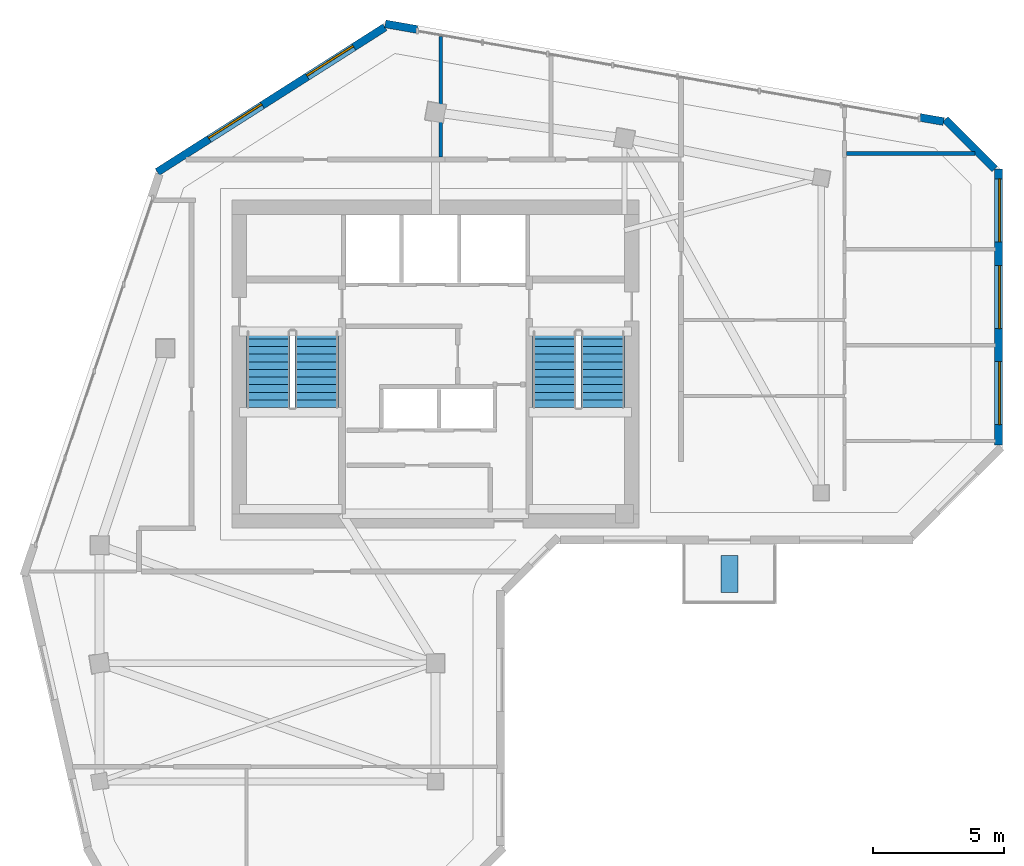
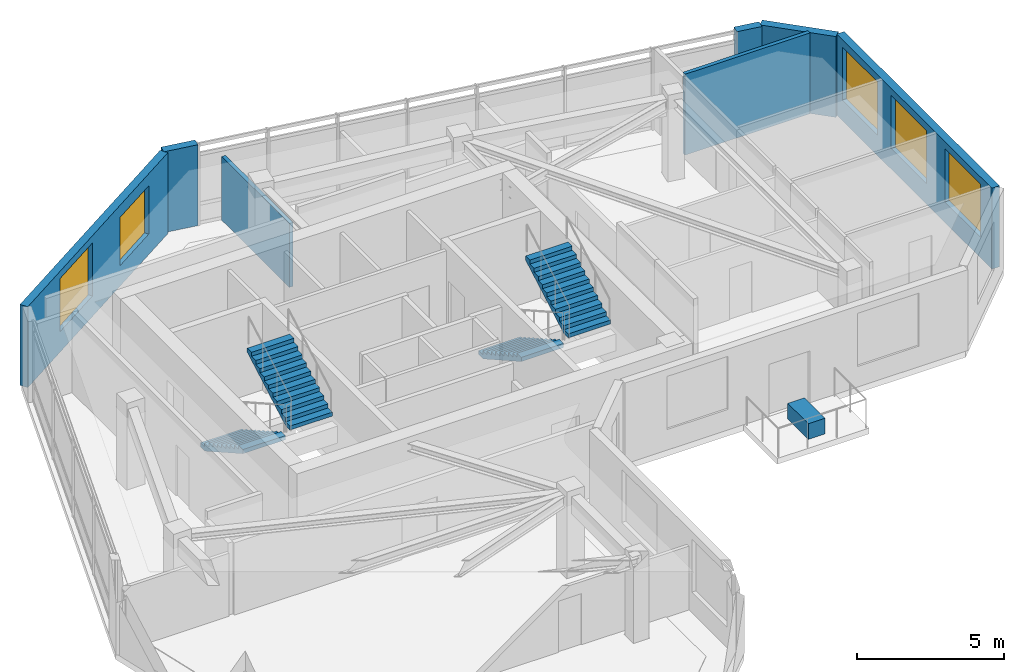
# One storey, part 6 of 9: 7 walls, 5 windows, 4 stair flights, 1 discrete accessory, 5 openings, 2 elements without a shape of their own.
"""IFC4 building model written with IfcOpenShell, lengths in metres."""

from ifc_helpers import new_model, si_unit, direction, frame, frame_2d, origin, origin_2d, place, context, subcontext, project, spatial, polyline, rectangle, outline, extrude, source, transform, mapped, material, layer, layer_set, type_object, element, fill, aggregate, save


model = new_model("IFC4")

# Units and contexts
model_context = context("Model", 3, precision=1e-05, world=origin(), true_north=direction((0.0, 1.0)))
body_context = subcontext(model_context, "Body", "Model", "MODEL_VIEW")
ifc_project = project(units=[si_unit("LENGTHUNIT", "METRE"), si_unit("AREAUNIT", "SQUARE_METRE"), si_unit("VOLUMEUNIT", "CUBIC_METRE"), si_unit("PLANEANGLEUNIT", "RADIAN"), si_unit("MASSUNIT", "GRAM", prefix="KILO")], contexts=[model_context])

# Site, building, storey
site_placement = place(None, origin())
site = spatial("IfcSite", under=ifc_project, at=site_placement, CompositionType="ELEMENT")
building_placement = place(site_placement, origin())
building = spatial("IfcBuilding", under=site, at=building_placement, Name="Calvemar Wedge Station Tower", CompositionType="ELEMENT")
storey_placement = place(building_placement, frame((0.0, 0.0, 274.5)))
storey = spatial("IfcBuildingStorey", under=building, at=storey_placement, Name="L70", CompositionType="ELEMENT", Elevation=274.5)

# Wall, openings, windows
ifc_material_1 = material(Name="Precast concrete C45", Category="concrete")
ifc_layer_1 = layer(ifc_material_1, 0.300048828125)
ifc_layer_set_1 = layer_set([ifc_layer_1], Name="Precast concrete C45")
wall_type_1 = type_object("IfcWallType", Name="W-EXT-GFRC-300", PredefinedType="SOLIDWALL", material=ifc_layer_set_1)
wall_1_placement = place(storey_placement, frame((45.25, 36.813232421875, 0.0), z_axis=(0.0, 0.0, 1.0), x_axis=(0.0, 1.0, 0.0)))
wall_1 = element("IfcWall", 1, at=wall_1_placement, inside=storey, type_object=wall_type_1, Name="Storey L70 Bronze GFRC Exterior Wall 8", PredefinedType="SOLIDWALL", context=body_context, shape_type="SweptSolid", body=[
    extrude(rectangle(XDim=10.53076171875, YDim=0.300048828125, at=frame_2d((5.265380859375, 0.0))), origin(), (0.0, 0.0, 1.0), 3.35009765625),
])
shared_shape_1 = source(origin(), body_context, "Body", "SweptSolid", [
    extrude(rectangle(XDim=2.39990234375, YDim=2.199951171875, at=frame_2d((1.199951171875, 1.10009765625))), frame((0.0, 0.16015625, 0.0), z_axis=(0.0, -1.0, 0.0), x_axis=(1.0, 0.0, 0.0)), (0.0, 0.0, 1.0), 0.320068359375),
])
opening_1_placement = place(wall_1_placement, frame((0.785888671875, 0.0, 0.85009765625)))
opening_1 = element("IfcOpeningElement", 2, at=opening_1_placement, cuts=wall_1, Name="Opening W1", PredefinedType="OPENING", context=body_context, shape_type="MappedRepresentation", body=[
    mapped(shared_shape_1, transform((0.0, 0.0, 0.0), scale=1.0)),
])
opening_2_placement = place(wall_1_placement, frame((4.43896484375, 0.0, 0.85009765625)))
opening_2 = element("IfcOpeningElement", 3, at=opening_2_placement, cuts=wall_1, Name="Opening W1", PredefinedType="OPENING", context=body_context, shape_type="MappedRepresentation", body=[
    mapped(shared_shape_1, transform((0.0, 0.0, 0.0), scale=1.0)),
])
opening_3_placement = place(wall_1_placement, frame((7.748046875, 0.0, 0.85009765625)))
opening_3 = element("IfcOpeningElement", 4, at=opening_3_placement, cuts=wall_1, Name="Opening W1", PredefinedType="OPENING", context=body_context, shape_type="MappedRepresentation", body=[
    mapped(shared_shape_1, transform((0.0, 0.0, 0.0), scale=1.0)),
])
ifc_material_2 = material(Name="Low-E laminated insulated glass", Category="glass")
window_type_1 = type_object("IfcWindowType", Name="WIN-EXT-1", PartitioningType="SINGLE_PANEL", PredefinedType="WINDOW", material=ifc_material_2)
shared_shape_2 = source(origin(), body_context, "Body", "SweptSolid", [
    extrude(rectangle(XDim=2.39990234375, YDim=2.199951171875, at=frame_2d((1.199951171875, 1.10009765625))), frame((0.0, -0.014892578125, 0.0), z_axis=(0.0, -1.0, 0.0), x_axis=(1.0, 0.0, 0.0)), (0.0, 0.0, 1.0), 0.06005859375),
])
window_1_placement = place(opening_1_placement, origin())
window_1 = element("IfcWindow", 5, at=window_1_placement, inside=storey, type_object=window_type_1, Name="Storey L70 Recessed Window 8.1", OverallHeight=2.199951171875, OverallWidth=2.39990234375, PartitioningType="SINGLE_PANEL", PredefinedType="WINDOW", context=body_context, shape_type="MappedRepresentation", body=[
    mapped(shared_shape_2, transform((0.0, 0.0, 0.0), scale=1.0)),
])
fill(opening_1, window_1)
window_2_placement = place(opening_2_placement, origin())
window_2 = element("IfcWindow", 6, at=window_2_placement, inside=storey, type_object=window_type_1, Name="Storey L70 Recessed Window 8.2", OverallHeight=2.199951171875, OverallWidth=2.39990234375, PartitioningType="SINGLE_PANEL", PredefinedType="WINDOW", context=body_context, shape_type="MappedRepresentation", body=[
    mapped(shared_shape_2, transform((0.0, 0.0, 0.0), scale=1.0)),
])
fill(opening_2, window_2)
window_3_placement = place(opening_3_placement, origin())
window_3 = element("IfcWindow", 7, at=window_3_placement, inside=storey, type_object=window_type_1, Name="Storey L70 Recessed Window 8.3", OverallHeight=2.199951171875, OverallWidth=2.39990234375, PartitioningType="SINGLE_PANEL", PredefinedType="WINDOW", context=body_context, shape_type="MappedRepresentation", body=[
    mapped(shared_shape_2, transform((0.0, 0.0, 0.0), scale=1.0)),
])
fill(opening_3, window_3)

# Walls
wall_2_placement = place(storey_placement, frame((45.112060546875, 47.331787109375, 0.0), z_axis=(0.0, 0.0, 1.0), x_axis=(-0.707106781187, 0.707106781187, 0.0)))
element("IfcWall", 8, at=wall_2_placement, inside=storey, type_object=wall_type_1, Name="Storey L70 Bronze GFRC Exterior Wall 9", PredefinedType="SOLIDWALL", context=body_context, shape_type="SweptSolid", body=[
    extrude(rectangle(XDim=2.673828125, YDim=0.300048828125, at=frame_2d((1.3369140625, 0.0))), origin(), (0.0, 0.0, 1.0), 3.35009765625),
])
wall_3_placement = place(storey_placement, frame((43.161376953125, 49.1455078125, 0.0), z_axis=(0.0, 0.0, 1.0), x_axis=(-0.985052066521, 0.172256861238, 0.0)))
element("IfcWall", 9, at=wall_3_placement, inside=storey, type_object=wall_type_1, Name="Storey L70 Bronze GFRC Corner Pier 10A", PredefinedType="SOLIDWALL", context=body_context, shape_type="SweptSolid", body=[
    extrude(rectangle(XDim=0.911376953125, YDim=0.300048828125, at=frame_2d((0.45556640625, 0.0))), origin(), (0.0, 0.0, 1.0), 3.35009765625),
])
wall_4_placement = place(storey_placement, frame((23.09521484375, 52.656005859375, 0.0), z_axis=(0.0, 0.0, 1.0), x_axis=(-0.985008549623, 0.172505527937, 0.0)))
element("IfcWall", 10, at=wall_4_placement, inside=storey, type_object=wall_type_1, Name="Storey L70 Bronze GFRC Corner Pier 10B", PredefinedType="SOLIDWALL", context=body_context, shape_type="SweptSolid", body=[
    extrude(rectangle(XDim=1.22998046875, YDim=0.300048828125, at=frame_2d((0.614990234375, 0.0))), origin(), (0.0, 0.0, 1.0), 3.35009765625),
])

# Wall, openings, windows
wall_5_placement = place(storey_placement, frame((21.873779296875, 52.741943359375, 0.0), z_axis=(0.0, 0.0, 1.0), x_axis=(-0.84365659959, -0.536883173482, 0.0)))
wall_5 = element("IfcWall", 11, at=wall_5_placement, inside=storey, type_object=wall_type_1, Name="Storey L70 Bronze GFRC Exterior Wall 11", PredefinedType="SOLIDWALL", context=body_context, shape_type="SweptSolid", body=[
    extrude(rectangle(XDim=10.282958984375, YDim=0.300048828125, at=frame_2d((5.1416015625, 0.0))), origin(), (0.0, 0.0, 1.0), 3.35009765625),
])
shared_shape_3 = source(origin(), body_context, "Body", "SweptSolid", [
    extrude(rectangle(XDim=2.10009765625, YDim=2.0, at=frame_2d((1.050048828125, 1.0))), frame((0.0, 0.16015625, 0.0), z_axis=(0.0, -1.0, 0.0), x_axis=(1.0, 0.0, 0.0)), (0.0, 0.0, 1.0), 0.320068359375),
])
opening_4_placement = place(wall_5_placement, frame((1.409912109375, 0.0, 0.85009765625)))
opening_4 = element("IfcOpeningElement", 12, at=opening_4_placement, cuts=wall_5, Name="Opening W4", PredefinedType="OPENING", context=body_context, shape_type="MappedRepresentation", body=[
    mapped(shared_shape_3, transform((0.0, 0.0, 0.0), scale=1.0)),
])
opening_5_placement = place(wall_5_placement, frame((5.5400390625, 0.0, 0.85009765625)))
opening_5 = element("IfcOpeningElement", 13, at=opening_5_placement, cuts=wall_5, Name="Opening W1", PredefinedType="OPENING", context=body_context, shape_type="MappedRepresentation", body=[
    mapped(shared_shape_1, transform((0.0, 0.0, 0.0), scale=1.0)),
])
window_type_2 = type_object("IfcWindowType", Name="WIN-EXT-4", PartitioningType="SINGLE_PANEL", PredefinedType="WINDOW", material=ifc_material_2)
shared_shape_4 = source(origin(), body_context, "Body", "SweptSolid", [
    extrude(rectangle(XDim=2.10009765625, YDim=2.0, at=frame_2d((1.050048828125, 1.0))), frame((0.0, -0.014892578125, 0.0), z_axis=(0.0, -1.0, 0.0), x_axis=(1.0, 0.0, 0.0)), (0.0, 0.0, 1.0), 0.06005859375),
])
window_4_placement = place(opening_4_placement, origin())
window_4 = element("IfcWindow", 14, at=window_4_placement, inside=storey, type_object=window_type_2, Name="Storey L70 Recessed Window 11.1", OverallHeight=2.0, OverallWidth=2.10009765625, PartitioningType="SINGLE_PANEL", PredefinedType="WINDOW", context=body_context, shape_type="MappedRepresentation", body=[
    mapped(shared_shape_4, transform((0.0, 0.0, 0.0), scale=1.0)),
])
fill(opening_4, window_4)
window_5_placement = place(opening_5_placement, origin())
window_5 = element("IfcWindow", 15, at=window_5_placement, inside=storey, type_object=window_type_1, Name="Storey L70 Recessed Window 11.2", OverallHeight=2.199951171875, OverallWidth=2.39990234375, PartitioningType="SINGLE_PANEL", PredefinedType="WINDOW", context=body_context, shape_type="MappedRepresentation", body=[
    mapped(shared_shape_2, transform((0.0, 0.0, 0.0), scale=1.0)),
])
fill(opening_5, window_5)

# Walls
ifc_material_3 = material(Name="Moisture-resistant acoustic bathroom partition")
ifc_layer_2 = layer(ifc_material_3, 0.14990234375)
ifc_layer_set_2 = layer_set([ifc_layer_2], Name="Moisture-resistant acoustic bathroom partition")
wall_type_2 = type_object("IfcWallType", Name="W-WET-150", PredefinedType="PARTITIONING", material=ifc_layer_set_2)
wall_6_placement = place(storey_placement, frame((24.0, 52.381103515625, 0.0), z_axis=(0.0, 0.0, 1.0), x_axis=(0.0, -1.0, 0.0)))
element("IfcWall", 16, at=wall_6_placement, inside=storey, type_object=wall_type_2, Name="Storey L70 Interior Partition WL-L70-020", PredefinedType="PARTITIONING", context=body_context, shape_type="SweptSolid", body=[
    extrude(rectangle(XDim=4.587158203125, YDim=0.14990234375, at=frame_2d((2.29345703125, 0.0))), origin(), (0.0, 0.0, 1.0), 2.64208984375),
])
wall_7_placement = place(storey_placement, frame((44.351318359375, 47.929931640625, 0.0), z_axis=(0.0, 0.0, 1.0), x_axis=(-1.0, 0.0, 0.0)))
element("IfcWall", 17, at=wall_7_placement, inside=storey, type_object=wall_type_2, Name="Storey L70 Interior Partition WL-L70-032", PredefinedType="PARTITIONING", context=body_context, shape_type="SweptSolid", body=[
    extrude(rectangle(XDim=4.890380859375, YDim=0.14990234375, at=frame_2d((2.4453125, 0.0))), origin(), (0.0, 0.0, 1.0), 3.35009765625),
])

# Stair, stair flights
ifc_material_4 = material(Name="Concrete C45", Category="concrete")
stair_type = type_object("IfcStairType", Name="ST-TYPE-3600", PredefinedType="HALF_TURN_STAIR", material=ifc_material_4)
stair_1_placement = place(storey_placement, origin())
stair_1 = element("IfcStair", 18, at=stair_1_placement, inside=storey, type_object=stair_type, Name="L70 Pressurized Core Exit Stair ST-C1", PredefinedType="HALF_TURN_STAIR")
stair_flight_type = type_object("IfcStairFlightType", Name="STF-TYPE-3600", PredefinedType="STRAIGHT", material=ifc_material_4)
stair_flight_1_placement = place(storey_placement, frame((17.429931640625, 41.14990234375, 0.0), z_axis=(0.0, 0.0, 1.0), x_axis=(0.0, -1.0, 0.0)))
stair_flight_1 = element("IfcStairFlight", 19, at=stair_flight_1_placement, type_object=stair_flight_type, Name="ST-C1 flight 1", NumberOfRisers=11, NumberOfTreads=10, PredefinedType="STRAIGHT", RiserHeight=0.163636364, TreadLength=0.29, context=body_context, shape_type="SweptSolid", body=[
    extrude(outline(polyline([(0.0, 0.0), (0.0, 0.16357421875), (0.2900390625, 0.16357421875), (0.2900390625, 0.327392578125), (0.580078125, 0.327392578125), (0.580078125, 0.490966796875), (0.8701171875, 0.490966796875), (0.8701171875, 0.654541015625), (1.159912109375, 0.654541015625), (1.159912109375, 0.818115234375), (1.449951171875, 0.818115234375), (1.449951171875, 0.98193359375), (1.739990234375, 0.98193359375), (1.739990234375, 1.1455078125), (2.030029296875, 1.1455078125), (2.030029296875, 1.30908203125), (2.320068359375, 1.30908203125), (2.320068359375, 1.47265625), (2.610107421875, 1.47265625), (2.610107421875, 1.636474609375), (2.89990234375, 1.636474609375), (2.89990234375, 1.800048828125), (2.89990234375, 1.46435546875), (0.304931640625, 0.0), (0.0, 0.0)])), frame((0.0, 0.830078125, 0.0), z_axis=(0.0, -1.0, 0.0), x_axis=(1.0, 0.0, 0.0)), (0.0, 0.0, 1.0), 1.659912109375),
])
stair_flight_2_placement = place(storey_placement, frame((19.27001953125, 38.25, 1.800048828125), z_axis=(0.0, 0.0, 1.0), x_axis=(0.0, 1.0, 0.0)))
stair_flight_2 = element("IfcStairFlight", 20, at=stair_flight_2_placement, type_object=stair_flight_type, Name="ST-C1 flight 2", NumberOfRisers=11, NumberOfTreads=10, PredefinedType="STRAIGHT", RiserHeight=0.163636364, TreadLength=0.29, context=body_context, shape_type="SweptSolid", body=[
    extrude(outline(polyline([(0.0, 0.0), (0.0, 0.16357421875), (0.2900390625, 0.16357421875), (0.2900390625, 0.327392578125), (0.580078125, 0.327392578125), (0.580078125, 0.490966796875), (0.8701171875, 0.490966796875), (0.8701171875, 0.654541015625), (1.159912109375, 0.654541015625), (1.159912109375, 0.818115234375), (1.449951171875, 0.818115234375), (1.449951171875, 0.98193359375), (1.739990234375, 0.98193359375), (1.739990234375, 1.1455078125), (2.030029296875, 1.1455078125), (2.030029296875, 1.30908203125), (2.320068359375, 1.30908203125), (2.320068359375, 1.47265625), (2.610107421875, 1.47265625), (2.610107421875, 1.636474609375), (2.89990234375, 1.636474609375), (2.89990234375, 1.800048828125), (2.89990234375, 1.46435546875), (0.304931640625, 0.0), (0.0, 0.0)])), frame((0.0, 0.830078125, 0.0), z_axis=(0.0, -1.0, 0.0), x_axis=(1.0, 0.0, 0.0)), (0.0, 0.0, 1.0), 1.659912109375),
])
aggregate(stair_1, [stair_flight_1, stair_flight_2])

stair_2_placement = place(storey_placement, origin())
stair_2 = element("IfcStair", 21, at=stair_2_placement, inside=storey, type_object=stair_type, Name="L70 Pressurized Core Exit Stair ST-C2", PredefinedType="HALF_TURN_STAIR")
stair_flight_3_placement = place(storey_placement, frame((28.330078125, 41.14990234375, 0.0), z_axis=(0.0, 0.0, 1.0), x_axis=(0.0, -1.0, 0.0)))
stair_flight_3 = element("IfcStairFlight", 22, at=stair_flight_3_placement, type_object=stair_flight_type, Name="ST-C2 flight 1", NumberOfRisers=11, NumberOfTreads=10, PredefinedType="STRAIGHT", RiserHeight=0.163636364, TreadLength=0.29, context=body_context, shape_type="SweptSolid", body=[
    extrude(outline(polyline([(0.0, 0.0), (0.0, 0.16357421875), (0.2900390625, 0.16357421875), (0.2900390625, 0.327392578125), (0.580078125, 0.327392578125), (0.580078125, 0.490966796875), (0.8701171875, 0.490966796875), (0.8701171875, 0.654541015625), (1.159912109375, 0.654541015625), (1.159912109375, 0.818115234375), (1.449951171875, 0.818115234375), (1.449951171875, 0.98193359375), (1.739990234375, 0.98193359375), (1.739990234375, 1.1455078125), (2.030029296875, 1.1455078125), (2.030029296875, 1.30908203125), (2.320068359375, 1.30908203125), (2.320068359375, 1.47265625), (2.610107421875, 1.47265625), (2.610107421875, 1.636474609375), (2.89990234375, 1.636474609375), (2.89990234375, 1.800048828125), (2.89990234375, 1.46435546875), (0.304931640625, 0.0), (0.0, 0.0)])), frame((0.0, 0.830078125, 0.0), z_axis=(0.0, -1.0, 0.0), x_axis=(1.0, 0.0, 0.0)), (0.0, 0.0, 1.0), 1.659912109375),
])
stair_flight_4_placement = place(storey_placement, frame((30.169921875, 38.25, 1.800048828125), z_axis=(0.0, 0.0, 1.0), x_axis=(0.0, 1.0, 0.0)))
stair_flight_4 = element("IfcStairFlight", 23, at=stair_flight_4_placement, type_object=stair_flight_type, Name="ST-C2 flight 2", NumberOfRisers=11, NumberOfTreads=10, PredefinedType="STRAIGHT", RiserHeight=0.163636364, TreadLength=0.29, context=body_context, shape_type="SweptSolid", body=[
    extrude(outline(polyline([(0.0, 0.0), (0.0, 0.16357421875), (0.2900390625, 0.16357421875), (0.2900390625, 0.327392578125), (0.580078125, 0.327392578125), (0.580078125, 0.490966796875), (0.8701171875, 0.490966796875), (0.8701171875, 0.654541015625), (1.159912109375, 0.654541015625), (1.159912109375, 0.818115234375), (1.449951171875, 0.818115234375), (1.449951171875, 0.98193359375), (1.739990234375, 0.98193359375), (1.739990234375, 1.1455078125), (2.030029296875, 1.1455078125), (2.030029296875, 1.30908203125), (2.320068359375, 1.30908203125), (2.320068359375, 1.47265625), (2.610107421875, 1.47265625), (2.610107421875, 1.636474609375), (2.89990234375, 1.636474609375), (2.89990234375, 1.800048828125), (2.89990234375, 1.46435546875), (0.304931640625, 0.0), (0.0, 0.0)])), frame((0.0, 0.830078125, 0.0), z_axis=(0.0, -1.0, 0.0), x_axis=(1.0, 0.0, 0.0)), (0.0, 0.0, 1.0), 1.659912109375),
])
aggregate(stair_2, [stair_flight_3, stair_flight_4])

# Discrete accessory
discrete_accessory_type = type_object("IfcDiscreteAccessoryType", Name="ACC-PLANTER", PredefinedType="USERDEFINED", material=ifc_material_1)
shared_shape_5 = source(origin(), body_context, "Body", "SweptSolid", [
    extrude(rectangle(XDim=0.64990234375, YDim=1.39990234375, at=origin_2d()), origin(), (0.0, 0.0, 1.0), 0.64990234375),
])
discrete_accessory_placement = place(storey_placement, frame((35.0, 31.906005859375, 0.0), z_axis=(0.0, 0.0, 1.0), x_axis=(1.0, 0.0, 0.0)))
element("IfcDiscreteAccessory", 24, at=discrete_accessory_placement, inside=storey, type_object=discrete_accessory_type, Name="Storey L70 Planted Terrace GFRC Planter", ObjectType="PLANTER", PredefinedType="USERDEFINED", context=body_context, shape_type="MappedRepresentation", body=[
    mapped(shared_shape_5, transform((0.0, 0.0, 0.0), scale=1.0)),
])

save(model, "model.ifc")
